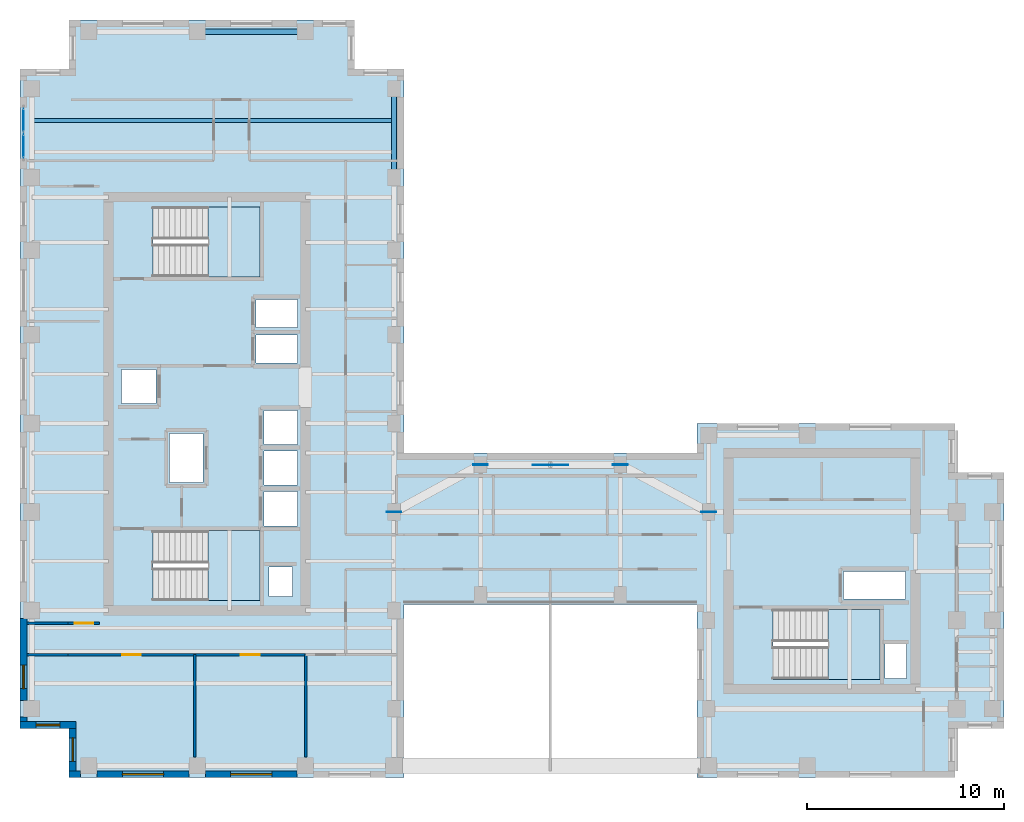
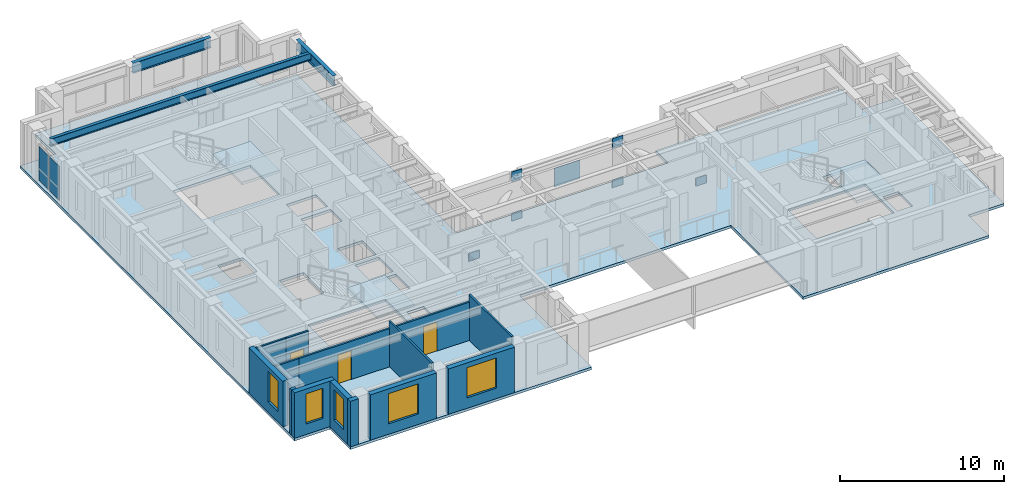
# One storey, part 5 of 12: 14 walls, 9 plates, 5 windows, 4 slabs, 3 beams, 3 doors, 8 openings, 4 elements without a shape of their own.
"""IFC4 building model written with IfcOpenShell, lengths in metres."""

from ifc_helpers import new_model, si_unit, direction, frame, frame_2d, origin, origin_2d, place, context, subcontext, project, spatial, polyline, rectangle, i_section, outline, extrude, source, transform, mapped, material, layer, layer_set, material_profile, profile_set, type_object, element, fill, aggregate, save


model = new_model("IFC4")

# Units and contexts
model_context = context("Model", 3, precision=1e-05, world=origin(), true_north=direction((0.0, 1.0)))
body_context = subcontext(model_context, "Body", "Model", "MODEL_VIEW")
ifc_project = project(units=[si_unit("LENGTHUNIT", "METRE"), si_unit("AREAUNIT", "SQUARE_METRE"), si_unit("VOLUMEUNIT", "CUBIC_METRE"), si_unit("PLANEANGLEUNIT", "RADIAN"), si_unit("MASSUNIT", "GRAM", prefix="KILO")], contexts=[model_context])

# Site, building, storey
site_placement = place(None, origin())
site = spatial("IfcSite", under=ifc_project, at=site_placement, CompositionType="ELEMENT")
building_placement = place(site_placement, origin())
building = spatial("IfcBuilding", under=site, at=building_placement, Name="Kharzan Plaza Tower", CompositionType="ELEMENT")
storey_placement = place(building_placement, frame((0.0, 0.0, 248.39990234375)))
storey = spatial("IfcBuildingStorey", under=building, at=storey_placement, Name="L67", CompositionType="ELEMENT", Elevation=248.39990234375)

# Beams
ifc_material_1 = material(Name="Steel S355", Category="steel")
ifc_material_profile_1 = material_profile(ifc_material_1, i_section(OverallWidth=0.2099609375, OverallDepth=0.537109375, WebThickness=0.010986328125, FlangeThickness=0.017333984375, at=origin_2d()), Name="W530x101")
ifc_profile_set_1 = profile_set([ifc_material_profile_1], Name="Steel S355")
beam_type_1 = type_object("IfcBeamType", Name="BM-JST530B", PredefinedType="JOIST", material=ifc_profile_set_1)
shared_shape_1 = source(origin(), body_context, "Body", "SweptSolid", [
    extrude(i_section(OverallWidth=0.2099609375, OverallDepth=0.537109375, WebThickness=0.010986328125, FlangeThickness=0.017333984375, at=origin_2d()), origin(), (0.0, 0.0, 1.0), 18.39990234375),
])
beam_1_placement = place(storey_placement, frame((0.60009765625, 33.39990234375, 3.131591796875), z_axis=(1.0, 0.0, 0.0), x_axis=(0.0, 1.0, 0.0)))
element("IfcBeam", 1, at=beam_1_placement, inside=storey, type_object=beam_type_1, Name="L67 Wing A Composite Joist 05", PredefinedType="JOIST", context=body_context, shape_type="MappedRepresentation", body=[
    mapped(shared_shape_1, transform((0.0, 0.0, 0.0), x_axis=(1.0, 0.0, 0.0), y_axis=(0.0, 1.0, 0.0), z_axis=(0.0, 0.0, 1.0))),
])
ifc_material_profile_2 = material_profile(ifc_material_1, i_section(OverallWidth=0.26708984375, OverallDepth=0.76611328125, WebThickness=0.014892578125, FlangeThickness=0.023681640625, at=origin_2d()), Name="W760x185")
ifc_profile_set_2 = profile_set([ifc_material_profile_2], Name="Steel S355")
beam_type_2 = type_object("IfcBeamType", Name="BM-SP760B", PredefinedType="SPANDREL", material=ifc_profile_set_2)
shared_shape_2 = source(origin(), body_context, "Body", "SweptSolid", [
    extrude(i_section(OverallWidth=0.26708984375, OverallDepth=0.76611328125, WebThickness=0.014892578125, FlangeThickness=0.023681640625, at=origin_2d()), origin(), (0.0, 0.0, 1.0), 4.5),
])
beam_2_placement = place(storey_placement, frame((19.0, 30.5, 3.01708984375), z_axis=(0.0, 1.0, 0.0), x_axis=(-1.0, 0.0, 0.0)))
element("IfcBeam", 2, at=beam_2_placement, inside=storey, type_object=beam_type_2, Name="L67 Perimeter Tube Spandrel", PredefinedType="SPANDREL", context=body_context, shape_type="MappedRepresentation", body=[
    mapped(shared_shape_2, transform((0.0, 0.0, 0.0), x_axis=(1.0, 0.0, 0.0), y_axis=(0.0, 1.0, 0.0), z_axis=(0.0, 0.0, 1.0))),
])
shared_shape_3 = source(origin(), body_context, "Body", "SweptSolid", [
    extrude(i_section(OverallWidth=0.26708984375, OverallDepth=0.76611328125, WebThickness=0.014892578125, FlangeThickness=0.023681640625, at=origin_2d()), origin(), (0.0, 0.0, 1.0), 5.5),
])
beam_3_placement = place(storey_placement, frame((9.0, 37.89990234375, 3.01708984375), z_axis=(1.0, 0.0, 0.0), x_axis=(0.0, 1.0, 0.0)))
element("IfcBeam", 3, at=beam_3_placement, inside=storey, type_object=beam_type_2, Name="L67 Perimeter Tube Spandrel", PredefinedType="SPANDREL", context=body_context, shape_type="MappedRepresentation", body=[
    mapped(shared_shape_3, transform((0.0, 0.0, 0.0), x_axis=(1.0, 0.0, 0.0), y_axis=(0.0, 1.0, 0.0), z_axis=(0.0, 0.0, 1.0))),
])

# Slab
ifc_material_2 = material(Name="Concrete C40/50", Category="concrete")
ifc_layer_1 = layer(ifc_material_2, 0.199951171875)
ifc_layer_set_1 = layer_set([ifc_layer_1], Name="Concrete C40/50")
slab_type_1 = type_object("IfcSlabType", Name="SL-FLOOR-200", PredefinedType="FLOOR", material=ifc_layer_set_1)
slab_1_placement = place(storey_placement, frame((0.0, 0.0, -0.199951171875)))
element("IfcSlab", 4, at=slab_1_placement, inside=storey, type_object=slab_type_1, Name="L67 Composite Structural Floor Slab 200 mm", PredefinedType="FLOOR", context=body_context, shape_type="SweptSolid", body=[
    extrude(outline(polyline([(34.39990234375, 16.5), (19.5, 16.5), (19.5, 36.0), (17.0, 36.0), (17.0, 38.5), (2.5, 38.5), (2.5, 36.0), (0.0, 36.0), (0.0, 2.5), (2.5, 2.5), (2.5, 0.0), (19.5, 0.0), (19.5, 8.800048828125), (34.39990234375, 8.800048828125), (34.39990234375, 0.0), (47.5, 0.0), (47.5, 2.5), (50.0, 2.5), (50.0, 15.5), (47.5, 15.5), (47.5, 18.0), (34.39990234375, 18.0), (34.39990234375, 16.5)]), holes=[polyline([(12.199951171875, 12.550048828125), (6.75, 12.550048828125), (6.75, 9.0), (12.199951171875, 9.0), (12.199951171875, 12.550048828125)]), polyline([(14.10009765625, 12.800048828125), (14.10009765625, 14.530029296875), (12.39990234375, 14.530029296875), (12.39990234375, 12.800048828125), (14.10009765625, 12.800048828125)]), polyline([(9.300048828125, 15.0), (9.300048828125, 17.5), (7.60009765625, 17.5), (7.60009765625, 15.0), (9.300048828125, 15.0)]), polyline([(6.89990234375, 20.72998046875), (5.14990234375, 20.72998046875), (5.14990234375, 19.010009765625), (6.89990234375, 19.010009765625), (6.89990234375, 20.72998046875)]), polyline([(14.10009765625, 21.070068359375), (14.10009765625, 22.489990234375), (12.0, 22.489990234375), (12.0, 21.070068359375), (14.10009765625, 21.070068359375)]), polyline([(14.10009765625, 22.8701171875), (14.10009765625, 24.2900390625), (12.0, 24.2900390625), (12.0, 22.8701171875), (14.10009765625, 22.8701171875)]), polyline([(12.199951171875, 29.0), (6.75, 29.0), (6.75, 25.449951171875), (12.199951171875, 25.449951171875), (12.199951171875, 29.0)]), polyline([(45.050048828125, 5.050048828125), (45.050048828125, 6.800048828125), (43.949951171875, 6.800048828125), (43.949951171875, 5.050048828125), (45.050048828125, 5.050048828125)]), polyline([(43.699951171875, 5.0), (43.699951171875, 8.550048828125), (38.25, 8.550048828125), (38.25, 5.0), (43.699951171875, 5.0)]), polyline([(45.0, 9.070068359375), (45.0, 10.469970703125), (41.85009765625, 10.469970703125), (41.85009765625, 9.070068359375), (45.0, 9.070068359375)]), polyline([(13.85009765625, 9.199951171875), (13.85009765625, 10.699951171875), (12.64990234375, 10.699951171875), (12.64990234375, 9.199951171875), (13.85009765625, 9.199951171875)]), polyline([(14.10009765625, 14.8701171875), (14.10009765625, 16.60009765625), (12.39990234375, 16.60009765625), (12.39990234375, 14.8701171875), (14.10009765625, 14.8701171875)]), polyline([(14.10009765625, 16.93994140625), (14.10009765625, 18.64990234375), (12.39990234375, 18.64990234375), (12.39990234375, 16.93994140625), (14.10009765625, 16.93994140625)])]), origin(), (0.0, 0.0, 1.0), 0.199951171875),
])

# Stair, slab
stair_type_1 = type_object("IfcStairType", Name="STR-ST-1", PredefinedType="HALF_TURN_STAIR", material=ifc_material_2)
stair_1_placement = place(storey_placement, origin())
stair_1 = element("IfcStair", 5, at=stair_1_placement, inside=storey, type_object=stair_type_1, Name="L67 Protected Exit Stair ST-1", PredefinedType="HALF_TURN_STAIR")
ifc_layer_2 = layer(ifc_material_2, 0.219970703125)
ifc_layer_set_2 = layer_set([ifc_layer_2], Name="Concrete C40/50")
slab_type_2 = type_object("IfcSlabType", Name="SL-LANDING-220", PredefinedType="LANDING", material=ifc_layer_set_2)
slab_2_placement = place(storey_placement, frame((0.0, 0.0, 1.60009765625)))
slab_2 = element("IfcSlab", 6, at=slab_2_placement, type_object=slab_type_2, Name="ST-1 landing 1", PredefinedType="LANDING", context=body_context, shape_type="SweptSolid", body=[
    extrude(outline(polyline([(9.550048828125, 9.0), (12.199951171875, 9.0), (12.199951171875, 12.550048828125), (9.550048828125, 12.550048828125), (9.550048828125, 9.0)])), origin(), (0.0, 0.0, 1.0), 0.199951171875),
])
aggregate(stair_1, [slab_2])

stair_type_2 = type_object("IfcStairType", Name="STR-ST-2", PredefinedType="HALF_TURN_STAIR", material=ifc_material_2)
stair_2_placement = place(storey_placement, origin())
stair_2 = element("IfcStair", 7, at=stair_2_placement, inside=storey, type_object=stair_type_2, Name="L67 Protected Exit Stair ST-2", PredefinedType="HALF_TURN_STAIR")
slab_3_placement = place(storey_placement, frame((0.0, 0.0, 1.60009765625)))
slab_3 = element("IfcSlab", 8, at=slab_3_placement, type_object=slab_type_2, Name="ST-2 landing 1", PredefinedType="LANDING", context=body_context, shape_type="SweptSolid", body=[
    extrude(outline(polyline([(9.550048828125, 25.449951171875), (12.199951171875, 25.449951171875), (12.199951171875, 29.0), (9.550048828125, 29.0), (9.550048828125, 25.449951171875)])), origin(), (0.0, 0.0, 1.0), 0.199951171875),
])
aggregate(stair_2, [slab_3])

stair_type_3 = type_object("IfcStairType", Name="STR-ST-3", PredefinedType="HALF_TURN_STAIR", material=ifc_material_2)
stair_3_placement = place(storey_placement, origin())
stair_3 = element("IfcStair", 9, at=stair_3_placement, inside=storey, type_object=stair_type_3, Name="L67 Protected Exit Stair ST-3", PredefinedType="HALF_TURN_STAIR")
slab_4_placement = place(storey_placement, frame((0.0, 0.0, 1.60009765625)))
slab_4 = element("IfcSlab", 10, at=slab_4_placement, type_object=slab_type_2, Name="ST-3 landing 1", PredefinedType="LANDING", context=body_context, shape_type="SweptSolid", body=[
    extrude(outline(polyline([(41.050048828125, 5.0), (43.699951171875, 5.0), (43.699951171875, 8.550048828125), (41.050048828125, 8.550048828125), (41.050048828125, 5.0)])), origin(), (0.0, 0.0, 1.0), 0.199951171875),
])
aggregate(stair_3, [slab_4])

# Plates
ifc_material_3 = material(Name="Steel S460", Category="steel")
ifc_layer_3 = layer(ifc_material_3, 0.0380859375)
ifc_layer_set_3 = layer_set([ifc_layer_3], Name="Steel S460")
plate_type_1 = type_object("IfcPlateType", Name="PLT-WPN1", PredefinedType="USERDEFINED", material=ifc_layer_set_3)
shared_shape_4 = source(origin(), body_context, "Body", "SweptSolid", [
    extrude(rectangle(XDim=0.75, YDim=0.0380859375, at=origin_2d()), origin(), (0.0, 0.0, 1.0), 0.75),
])
for number, where, z_axis, x_axis, name in (
    (11, (30.5, 15.89990234375, -0.1748046875), (0.0, 0.0, 1.0), (1.0, 0.0, 0.0), "L67 Wind Turbine Strut Foot Gusset Plate WPN-TSE"),
    (12, (23.39990234375, 15.89990234375, -0.1748046875), (0.0, 0.0, 1.0), (1.0, 0.0, 0.0), "L67 Wind Turbine Strut Foot Gusset Plate WPN-TSW"),
    (13, (23.39990234375, 15.89990234375, 2.905029296875), (0.0, 0.0, 1.0), (1.0, 0.0, 0.0), "L67 Wind Portal Node Gusset Plate WPN1"),
    (14, (35.0, 13.5, -0.1748046875), (0.0, 0.0, 1.0), (1.0, 0.0, 0.0), "L67 Wind Portal Node Gusset Plate WPN1-EB"),
    (15, (30.5, 15.89990234375, 2.905029296875), (0.0, 0.0, 1.0), (1.0, 0.0, 0.0), "L67 Wind Portal Node Gusset Plate WPN1-ET"),
    (16, (19.0, 13.5, -0.1748046875), (0.0, 0.0, 1.0), (1.0, 0.0, 0.0), "L67 Wind Portal Node Gusset Plate WPN1-WB"),
):
    element("IfcPlate", number, at=place(storey_placement, frame(where, z_axis=z_axis, x_axis=x_axis)), inside=storey, type_object=plate_type_1, Name=name, ObjectType="GUSSET_PLATE", PredefinedType="USERDEFINED", context=body_context, shape_type="MappedRepresentation", body=[
        mapped(shared_shape_4, transform((0.0, 0.0, 0.0), x_axis=(1.0, 0.0, 0.0), y_axis=(0.0, 1.0, 0.0), z_axis=(0.0, 0.0, 1.0))),
    ])
ifc_layer_4 = layer(ifc_material_3, 0.02490234375)
ifc_layer_set_4 = layer_set([ifc_layer_4], Name="Steel S460")
plate_type_2 = type_object("IfcPlateType", Name="PLT-SHRD", PredefinedType="USERDEFINED", material=ifc_layer_set_4)
shared_shape_5 = source(origin(), body_context, "Body", "SweptSolid", [
    extrude(rectangle(XDim=1.800048828125, YDim=0.02490234375, at=origin_2d()), origin(), (0.0, 0.0, 1.0), 1.39990234375),
])
plate_1_placement = place(storey_placement, frame((26.949951171875, 15.89990234375, 1.480224609375), z_axis=(0.0, 0.0, 1.0), x_axis=(1.0, 0.0, 0.0)))
element("IfcPlate", 17, at=plate_1_placement, inside=storey, type_object=plate_type_2, Name="L67 Wind Turbine Slot Shroud Plate TSN1", ObjectType="SHROUD_PLATE", PredefinedType="USERDEFINED", context=body_context, shape_type="MappedRepresentation", body=[
    mapped(shared_shape_5, transform((0.0, 0.0, 0.0), x_axis=(1.0, 0.0, 0.0), y_axis=(0.0, 1.0, 0.0), z_axis=(0.0, 0.0, 1.0))),
])

# Curtain wall, plates
ifc_material_4 = material(Name="Unitised Bronze-Anodized Aluminium and Low-E Glass", Category="aluminium")
ifc_layer_5 = layer(ifc_material_4, 0.199951171875)
ifc_layer_set_5 = layer_set([ifc_layer_5], Name="Unitised Bronze-Anodized Aluminium and Low-E Glass")
curtain_wall_type = type_object("IfcCurtainWallType", Name="CW-EXEC-5", PredefinedType="NOTDEFINED", material=ifc_layer_set_5)
curtain_wall_placement = place(storey_placement, origin())
curtain_wall = element("IfcCurtainWall", 18, at=curtain_wall_placement, inside=storey, type_object=curtain_wall_type, Name="L67 Upper Executive Setback Panoramic Curtain Wall", PredefinedType="NOTDEFINED")
ifc_material_5 = material(Name="Dark Solar-Control Double Glazing", Category="glass")
ifc_layer_6 = layer(ifc_material_5, 0.031982421875)
ifc_layer_set_6 = layer_set([ifc_layer_6], Name="Dark Solar-Control Double Glazing")
plate_type_3 = type_object("IfcPlateType", Name="PLT-CW-GLASS", PredefinedType="CURTAIN_PANEL", material=ifc_layer_set_6)
shared_shape_6 = source(origin(), body_context, "Body", "SweptSolid", [
    extrude(rectangle(XDim=1.179931640625, YDim=0.031982421875, at=origin_2d()), origin(), (0.0, 0.0, 1.0), 2.5400390625),
])
plate_2_placement = place(storey_placement, frame((0.179931640625, 32.10009765625, 0.080078125), z_axis=(0.0, 0.0, 1.0), x_axis=(0.0, 1.0, 0.0)))
plate_2 = element("IfcPlate", 19, at=plate_2_placement, type_object=plate_type_3, Name="L67 Curtain-Wall Glazed Panel 00", PredefinedType="CURTAIN_PANEL", context=body_context, shape_type="MappedRepresentation", body=[
    mapped(shared_shape_6, transform((0.0, 0.0, 0.0), x_axis=(1.0, 0.0, 0.0), y_axis=(0.0, 1.0, 0.0), z_axis=(0.0, 0.0, 1.0))),
])
plate_3_placement = place(storey_placement, frame((0.179931640625, 33.39990234375, 0.080078125), z_axis=(0.0, 0.0, 1.0), x_axis=(0.0, 1.0, 0.0)))
plate_3 = element("IfcPlate", 20, at=plate_3_placement, type_object=plate_type_3, Name="L67 Curtain-Wall Glazed Panel 01", PredefinedType="CURTAIN_PANEL", context=body_context, shape_type="MappedRepresentation", body=[
    mapped(shared_shape_6, transform((0.0, 0.0, 0.0), x_axis=(1.0, 0.0, 0.0), y_axis=(0.0, 1.0, 0.0), z_axis=(0.0, 0.0, 1.0))),
])
aggregate(curtain_wall, [plate_2, plate_3])

# Wall, opening, window
ifc_layer_7 = layer(ifc_material_2, 0.35009765625)
ifc_layer_set_7 = layer_set([ifc_layer_7], Name="Concrete C40/50")
wall_type_1 = type_object("IfcWallType", Name="WL-EXT-MAS-Z4", PredefinedType="SOLIDWALL", material=ifc_layer_set_7)
wall_1_placement = place(storey_placement, frame((0.175048828125, 8.076904296875, 0.0), z_axis=(0.0, 0.0, 1.0), x_axis=(0.0, -1.0, 0.0)))
wall_1 = element("IfcWall", 21, at=wall_1_placement, inside=storey, type_object=wall_type_1, Name="L67 Masonry-Frame Exterior Wall 23", PredefinedType="SOLIDWALL", context=body_context, shape_type="SweptSolid", body=[
    extrude(rectangle(XDim=4.15380859375, YDim=0.35009765625, at=frame_2d((2.076904296875, 0.0))), origin(), (0.0, 0.0, 1.0), 3.385009765625),
])
opening_1_placement = place(wall_1_placement, frame((2.35546875, 0.0, 0.780029296875)))
opening_1 = element("IfcOpeningElement", 22, at=opening_1_placement, cuts=wall_1, Name="Opening W3", PredefinedType="OPENING", context=body_context, shape_type="SweptSolid", body=[
    extrude(rectangle(XDim=1.199951171875, YDim=2.25, at=frame_2d((0.60009765625, 1.125))), frame((0.0, 0.18505859375, 0.0), z_axis=(0.0, -1.0, 0.0), x_axis=(1.0, 0.0, 0.0)), (0.0, 0.0, 1.0), 0.3701171875),
])
ifc_material_6 = material(Name="Low-E Double Glazing", Category="glass")
window_type_1 = type_object("IfcWindowType", Name="WN-REC-1200x2100", PartitioningType="SINGLE_PANEL", PredefinedType="WINDOW", material=ifc_material_6)
shared_shape_7 = source(origin(), body_context, "Body", "SweptSolid", [
    extrude(rectangle(XDim=1.199951171875, YDim=2.25, at=frame_2d((0.60009765625, 1.125))), frame((0.0, 0.030029296875, 0.0), z_axis=(0.0, -1.0, 0.0), x_axis=(1.0, 0.0, 0.0)), (0.0, 0.0, 1.0), 0.06005859375),
])
window_1_placement = place(opening_1_placement, origin())
window_1 = element("IfcWindow", 23, at=window_1_placement, inside=storey, type_object=window_type_1, Name="L67 Recessed Solar-Control Window 23-1", OverallHeight=2.25, OverallWidth=1.199951171875, PartitioningType="SINGLE_PANEL", PredefinedType="WINDOW", context=body_context, shape_type="MappedRepresentation", body=[
    mapped(shared_shape_7, transform((0.0, 0.0, 0.0), x_axis=(1.0, 0.0, 0.0), y_axis=(0.0, 1.0, 0.0), z_axis=(0.0, 0.0, 1.0))),
])
fill(opening_1, window_1)

wall_2_placement = place(storey_placement, frame((0.0, 2.675048828125, 0.0), z_axis=(0.0, 0.0, 1.0), x_axis=(1.0, 0.0, 0.0)))
wall_2 = element("IfcWall", 24, at=wall_2_placement, inside=storey, type_object=wall_type_1, Name="L67 Masonry-Frame Exterior Wall 25", PredefinedType="SOLIDWALL", context=body_context, shape_type="SweptSolid", body=[
    extrude(rectangle(XDim=2.85009765625, YDim=0.35009765625, at=frame_2d((1.425048828125, 0.0))), origin(), (0.0, 0.0, 1.0), 3.385009765625),
])
opening_2_placement = place(wall_2_placement, frame((0.824951171875, 0.0, 0.780029296875)))
opening_2 = element("IfcOpeningElement", 25, at=opening_2_placement, cuts=wall_2, Name="Opening W3", PredefinedType="OPENING", context=body_context, shape_type="SweptSolid", body=[
    extrude(rectangle(XDim=1.199951171875, YDim=2.25, at=frame_2d((0.60009765625, 1.125))), frame((0.0, 0.18505859375, 0.0), z_axis=(0.0, -1.0, 0.0), x_axis=(1.0, 0.0, 0.0)), (0.0, 0.0, 1.0), 0.3701171875),
])
window_2_placement = place(opening_2_placement, origin())
window_2 = element("IfcWindow", 26, at=window_2_placement, inside=storey, type_object=window_type_1, Name="L67 Recessed Solar-Control Window 25-1", OverallHeight=2.25, OverallWidth=1.199951171875, PartitioningType="SINGLE_PANEL", PredefinedType="WINDOW", context=body_context, shape_type="MappedRepresentation", body=[
    mapped(shared_shape_7, transform((0.0, 0.0, 0.0), x_axis=(1.0, 0.0, 0.0), y_axis=(0.0, 1.0, 0.0), z_axis=(0.0, 0.0, 1.0))),
])
fill(opening_2, window_2)

wall_3_placement = place(storey_placement, frame((2.675048828125, 2.501953125, 0.0), z_axis=(0.0, 0.0, 1.0), x_axis=(0.0, -1.0, 0.0)))
wall_3 = element("IfcWall", 27, at=wall_3_placement, inside=storey, type_object=wall_type_1, Name="L67 Masonry-Frame Exterior Wall 26", PredefinedType="SOLIDWALL", context=body_context, shape_type="SweptSolid", body=[
    extrude(rectangle(XDim=2.154052734375, YDim=0.35009765625, at=frame_2d((1.0771484375, 0.0))), origin(), (0.0, 0.0, 1.0), 3.385009765625),
])
opening_3_placement = place(wall_3_placement, frame((0.47705078125, 0.0, 0.780029296875)))
opening_3 = element("IfcOpeningElement", 28, at=opening_3_placement, cuts=wall_3, Name="Opening W3", PredefinedType="OPENING", context=body_context, shape_type="SweptSolid", body=[
    extrude(rectangle(XDim=1.199951171875, YDim=2.25, at=frame_2d((0.60009765625, 1.125))), frame((0.0, 0.18505859375, 0.0), z_axis=(0.0, -1.0, 0.0), x_axis=(1.0, 0.0, 0.0)), (0.0, 0.0, 1.0), 0.3701171875),
])
window_3_placement = place(opening_3_placement, origin())
window_3 = element("IfcWindow", 29, at=window_3_placement, inside=storey, type_object=window_type_1, Name="L67 Recessed Solar-Control Window 26-1", OverallHeight=2.25, OverallWidth=1.199951171875, PartitioningType="SINGLE_PANEL", PredefinedType="WINDOW", context=body_context, shape_type="MappedRepresentation", body=[
    mapped(shared_shape_7, transform((0.0, 0.0, 0.0), x_axis=(1.0, 0.0, 0.0), y_axis=(0.0, 1.0, 0.0), z_axis=(0.0, 0.0, 1.0))),
])
fill(opening_3, window_3)

wall_4_placement = place(storey_placement, frame((3.923095703125, 0.175048828125, 0.0), z_axis=(0.0, 0.0, 1.0), x_axis=(1.0, 0.0, 0.0)))
wall_4 = element("IfcWall", 30, at=wall_4_placement, inside=storey, type_object=wall_type_1, Name="L67 Masonry-Frame Exterior Wall 28", PredefinedType="SOLIDWALL", context=body_context, shape_type="SweptSolid", body=[
    extrude(rectangle(XDim=4.65380859375, YDim=0.35009765625, at=frame_2d((2.326904296875, 0.0))), origin(), (0.0, 0.0, 1.0), 3.385009765625),
])
opening_4_placement = place(wall_4_placement, frame((1.277099609375, 0.0, 0.780029296875)))
opening_4 = element("IfcOpeningElement", 31, at=opening_4_placement, cuts=wall_4, Name="Opening W6", PredefinedType="OPENING", context=body_context, shape_type="SweptSolid", body=[
    extrude(rectangle(XDim=2.10009765625, YDim=2.25, at=frame_2d((1.050048828125, 1.125))), frame((0.0, 0.18505859375, 0.0), z_axis=(0.0, -1.0, 0.0), x_axis=(1.0, 0.0, 0.0)), (0.0, 0.0, 1.0), 0.3701171875),
])
window_type_2 = type_object("IfcWindowType", Name="WN-EXEC-2100x2250", PartitioningType="SINGLE_PANEL", PredefinedType="WINDOW", material=ifc_material_6)
shared_shape_8 = source(origin(), body_context, "Body", "SweptSolid", [
    extrude(rectangle(XDim=2.10009765625, YDim=2.25, at=frame_2d((1.050048828125, 1.125))), frame((0.0, 0.030029296875, 0.0), z_axis=(0.0, -1.0, 0.0), x_axis=(1.0, 0.0, 0.0)), (0.0, 0.0, 1.0), 0.06005859375),
])
window_4_placement = place(opening_4_placement, origin())
window_4 = element("IfcWindow", 32, at=window_4_placement, inside=storey, type_object=window_type_2, Name="L67 Recessed Solar-Control Window 28-1", OverallHeight=2.25, OverallWidth=2.10009765625, PartitioningType="SINGLE_PANEL", PredefinedType="WINDOW", context=body_context, shape_type="MappedRepresentation", body=[
    mapped(shared_shape_8, transform((0.0, 0.0, 0.0), x_axis=(1.0, 0.0, 0.0), y_axis=(0.0, 1.0, 0.0), z_axis=(0.0, 0.0, 1.0))),
])
fill(opening_4, window_4)

wall_5_placement = place(storey_placement, frame((9.423095703125, 0.175048828125, 0.0), z_axis=(0.0, 0.0, 1.0), x_axis=(1.0, 0.0, 0.0)))
wall_5 = element("IfcWall", 33, at=wall_5_placement, inside=storey, type_object=wall_type_1, Name="L67 Masonry-Frame Exterior Wall 29", PredefinedType="SOLIDWALL", context=body_context, shape_type="SweptSolid", body=[
    extrude(rectangle(XDim=4.65380859375, YDim=0.35009765625, at=frame_2d((2.326904296875, 0.0))), origin(), (0.0, 0.0, 1.0), 3.385009765625),
])
opening_5_placement = place(wall_5_placement, frame((1.277099609375, 0.0, 0.780029296875)))
opening_5 = element("IfcOpeningElement", 34, at=opening_5_placement, cuts=wall_5, Name="Opening W6", PredefinedType="OPENING", context=body_context, shape_type="SweptSolid", body=[
    extrude(rectangle(XDim=2.10009765625, YDim=2.25, at=frame_2d((1.050048828125, 1.125))), frame((0.0, 0.18505859375, 0.0), z_axis=(0.0, -1.0, 0.0), x_axis=(1.0, 0.0, 0.0)), (0.0, 0.0, 1.0), 0.3701171875),
])
window_5_placement = place(opening_5_placement, origin())
window_5 = element("IfcWindow", 35, at=window_5_placement, inside=storey, type_object=window_type_2, Name="L67 Recessed Solar-Control Window 29-1", OverallHeight=2.25, OverallWidth=2.10009765625, PartitioningType="SINGLE_PANEL", PredefinedType="WINDOW", context=body_context, shape_type="MappedRepresentation", body=[
    mapped(shared_shape_8, transform((0.0, 0.0, 0.0), x_axis=(1.0, 0.0, 0.0), y_axis=(0.0, 1.0, 0.0), z_axis=(0.0, 0.0, 1.0))),
])
fill(opening_5, window_5)

# Wall, opening, door
ifc_material_7 = material(Name="Fire-Rated Gypsum Board Partition", Category="gypsum")
ifc_layer_8 = layer(ifc_material_7, 0.125)
ifc_layer_set_8 = layer_set([ifc_layer_8], Name="Fire-Rated Gypsum Board Partition")
wall_type_2 = type_object("IfcWallType", Name="WL-INT-PART-125", PredefinedType="PARTITIONING", material=ifc_layer_set_8)
wall_6_placement = place(storey_placement, frame((2.449951171875, 7.85009765625, 0.0), z_axis=(0.0, 0.0, 1.0), x_axis=(1.0, 0.0, 0.0)))
wall_6 = element("IfcWall", 36, at=wall_6_placement, inside=storey, type_object=wall_type_2, Name="L67 Interior Partition SH-RWSD", PredefinedType="PARTITIONING", context=body_context, shape_type="SweptSolid", body=[
    extrude(rectangle(XDim=1.60009765625, YDim=0.125, at=frame_2d((0.800048828125, 0.0))), origin(), (0.0, 0.0, 1.0), 3.385009765625),
])
opening_6_placement = place(wall_6_placement, frame((0.324951171875, 0.0, 0.0)))
opening_6 = element("IfcOpeningElement", 37, at=opening_6_placement, cuts=wall_6, Name="Opening OD1", PredefinedType="OPENING", context=body_context, shape_type="SweptSolid", body=[
    extrude(rectangle(XDim=0.949951171875, YDim=2.14990234375, at=frame_2d((0.47509765625, 1.074951171875))), frame((0.0, 0.072509765625, 0.0), z_axis=(0.0, -1.0, 0.0), x_axis=(1.0, 0.0, 0.0)), (0.0, 0.0, 1.0), 0.14501953125),
])
ifc_material_8 = material(Name="Acoustic Solid-Core Stained Oak", Category="timber")
door_type = type_object("IfcDoorType", Name="DR-OFF-SINGLE", OperationType="NOTDEFINED", PredefinedType="DOOR", material=ifc_material_8)
shared_shape_9 = source(origin(), body_context, "Body", "SweptSolid", [
    extrude(rectangle(XDim=0.949951171875, YDim=2.14990234375, at=frame_2d((0.47509765625, 1.074951171875))), frame((0.0, 0.02490234375, 0.0), z_axis=(0.0, -1.0, 0.0), x_axis=(1.0, 0.0, 0.0)), (0.0, 0.0, 1.0), 0.050048828125),
])
door_1_placement = place(opening_6_placement, origin())
door_1 = element("IfcDoor", 38, at=door_1_placement, inside=storey, type_object=door_type, Name="L67 West Office 1 Door", OperationType="SINGLE_SWING_RIGHT", OverallHeight=2.14990234375, OverallWidth=0.949951171875, PredefinedType="DOOR", context=body_context, shape_type="MappedRepresentation", body=[
    mapped(shared_shape_9, transform((0.0, 0.0, 0.0), x_axis=(1.0, 0.0, 0.0), y_axis=(0.0, 1.0, 0.0), z_axis=(0.0, 0.0, 1.0))),
])
fill(opening_6, door_1)

wall_7_placement = place(storey_placement, frame((2.449951171875, 6.25, 0.0), z_axis=(0.0, 0.0, 1.0), x_axis=(1.0, 0.0, 0.0)))
wall_7 = element("IfcWall", 39, at=wall_7_placement, inside=storey, type_object=wall_type_2, Name="L67 Interior Partition SH-SS-1", PredefinedType="PARTITIONING", context=body_context, shape_type="SweptSolid", body=[
    extrude(rectangle(XDim=6.43896484375, YDim=0.125, at=frame_2d((3.219482421875, 0.0))), origin(), (0.0, 0.0, 1.0), 2.84814453125),
])
opening_7_placement = place(wall_7_placement, frame((2.744384765625, 0.0, 0.0)))
opening_7 = element("IfcOpeningElement", 40, at=opening_7_placement, cuts=wall_7, Name="Opening OD1", PredefinedType="OPENING", context=body_context, shape_type="SweptSolid", body=[
    extrude(rectangle(XDim=0.949951171875, YDim=2.14990234375, at=frame_2d((0.47509765625, 1.074951171875))), frame((0.0, 0.072509765625, 0.0), z_axis=(0.0, -1.0, 0.0), x_axis=(1.0, 0.0, 0.0)), (0.0, 0.0, 1.0), 0.14501953125),
])
door_2_placement = place(opening_7_placement, origin())
door_2 = element("IfcDoor", 41, at=door_2_placement, inside=storey, type_object=door_type, Name="L67 HSE Management Office Door", OperationType="SINGLE_SWING_RIGHT", OverallHeight=2.14990234375, OverallWidth=0.949951171875, PredefinedType="DOOR", context=body_context, shape_type="MappedRepresentation", body=[
    mapped(shared_shape_9, transform((0.0, 0.0, 0.0), x_axis=(1.0, 0.0, 0.0), y_axis=(0.0, 1.0, 0.0), z_axis=(0.0, 0.0, 1.0))),
])
fill(opening_7, door_2)

wall_8_placement = place(storey_placement, frame((8.888916015625, 6.25, 0.0), z_axis=(0.0, 0.0, 1.0), x_axis=(1.0, 0.0, 0.0)))
wall_8 = element("IfcWall", 42, at=wall_8_placement, inside=storey, type_object=wall_type_2, Name="L67 Interior Partition SH-SS-2", PredefinedType="PARTITIONING", context=body_context, shape_type="SweptSolid", body=[
    extrude(rectangle(XDim=5.627197265625, YDim=0.125, at=frame_2d((2.8134765625, 0.0))), origin(), (0.0, 0.0, 1.0), 2.84814453125),
])
opening_8_placement = place(wall_8_placement, frame((2.33837890625, 0.0, 0.0)))
opening_8 = element("IfcOpeningElement", 43, at=opening_8_placement, cuts=wall_8, Name="Opening OD1", PredefinedType="OPENING", context=body_context, shape_type="SweptSolid", body=[
    extrude(rectangle(XDim=0.949951171875, YDim=2.14990234375, at=frame_2d((0.47509765625, 1.074951171875))), frame((0.0, 0.072509765625, 0.0), z_axis=(0.0, -1.0, 0.0), x_axis=(1.0, 0.0, 0.0)), (0.0, 0.0, 1.0), 0.14501953125),
])
door_3_placement = place(opening_8_placement, origin())
door_3 = element("IfcDoor", 44, at=door_3_placement, inside=storey, type_object=door_type, Name="L67 Safety Briefing Room Door", OperationType="SINGLE_SWING_LEFT", OverallHeight=2.14990234375, OverallWidth=0.949951171875, PredefinedType="DOOR", context=body_context, shape_type="MappedRepresentation", body=[
    mapped(shared_shape_9, transform((0.0, 0.0, 0.0), x_axis=(1.0, 0.0, 0.0), y_axis=(0.0, 1.0, 0.0), z_axis=(0.0, 0.0, 1.0))),
])
fill(opening_8, door_3)

# Walls
shared_shape_10 = source(origin(), body_context, "Body", "SweptSolid", [
    extrude(rectangle(XDim=2.097900390625, YDim=0.125, at=frame_2d((1.048828125, 0.0))), origin(), (0.0, 0.0, 1.0), 3.385009765625),
])
wall_9_placement = place(storey_placement, frame((0.35205078125, 7.85009765625, 0.0), z_axis=(0.0, 0.0, 1.0), x_axis=(1.0, 0.0, 0.0)))
element("IfcWall", 45, at=wall_9_placement, inside=storey, type_object=wall_type_2, Name="L67 Interior Partition SH-RWS0", PredefinedType="PARTITIONING", context=body_context, shape_type="MappedRepresentation", body=[
    mapped(shared_shape_10, transform((0.0, 0.0, 0.0), x_axis=(1.0, 0.0, 0.0), y_axis=(0.0, 1.0, 0.0), z_axis=(0.0, 0.0, 1.0))),
])
shared_shape_11 = source(origin(), body_context, "Body", "SweptSolid", [
    extrude(rectangle(XDim=2.097900390625, YDim=0.125, at=frame_2d((1.048828125, 0.0))), origin(), (0.0, 0.0, 1.0), 2.84814453125),
])
wall_10_placement = place(storey_placement, frame((0.35205078125, 6.25, 0.0), z_axis=(0.0, 0.0, 1.0), x_axis=(1.0, 0.0, 0.0)))
element("IfcWall", 46, at=wall_10_placement, inside=storey, type_object=wall_type_2, Name="L67 Interior Partition SH-SS-EXT", PredefinedType="PARTITIONING", context=body_context, shape_type="MappedRepresentation", body=[
    mapped(shared_shape_11, transform((0.0, 0.0, 0.0), x_axis=(1.0, 0.0, 0.0), y_axis=(0.0, 1.0, 0.0), z_axis=(0.0, 0.0, 1.0))),
])
shared_shape_12 = source(origin(), body_context, "Body", "SweptSolid", [
    extrude(rectangle(XDim=0.576904296875, YDim=0.35009765625, at=frame_2d((0.28857421875, 0.0))), origin(), (0.0, 0.0, 1.0), 3.385009765625),
])
wall_11_placement = place(storey_placement, frame((2.5, 0.175048828125, 0.0), z_axis=(0.0, 0.0, 1.0), x_axis=(1.0, 0.0, 0.0)))
element("IfcWall", 47, at=wall_11_placement, inside=storey, type_object=wall_type_1, Name="L67 Masonry-Frame Exterior Wall 27", PredefinedType="SOLIDWALL", context=body_context, shape_type="MappedRepresentation", body=[
    mapped(shared_shape_12, transform((0.0, 0.0, 0.0), x_axis=(1.0, 0.0, 0.0), y_axis=(0.0, 1.0, 0.0), z_axis=(0.0, 0.0, 1.0))),
])
shared_shape_13 = source(origin(), body_context, "Body", "SweptSolid", [
    extrude(rectangle(XDim=0.22900390625, YDim=0.35009765625, at=frame_2d((0.114501953125, 0.0))), origin(), (0.0, 0.0, 1.0), 3.385009765625),
])
wall_12_placement = place(storey_placement, frame((0.175048828125, 3.076904296875, 0.0), z_axis=(0.0, 0.0, 1.0), x_axis=(0.0, -1.0, 0.0)))
element("IfcWall", 48, at=wall_12_placement, inside=storey, type_object=wall_type_1, Name="L67 Masonry-Frame Exterior Wall 24", PredefinedType="SOLIDWALL", context=body_context, shape_type="MappedRepresentation", body=[
    mapped(shared_shape_13, transform((0.0, 0.0, 0.0), x_axis=(1.0, 0.0, 0.0), y_axis=(0.0, 1.0, 0.0), z_axis=(0.0, 0.0, 1.0))),
])
shared_shape_14 = source(origin(), body_context, "Body", "SweptSolid", [
    extrude(rectangle(XDim=5.199951171875, YDim=0.125, at=frame_2d((2.60009765625, 0.0))), origin(), (0.0, 0.0, 1.0), 3.385009765625),
])
for number, where, z_axis, x_axis, name in (
    (49, (8.888916015625, 1.050048828125, 0.0), (0.0, 0.0, 1.0), (0.0, 1.0, 0.0), "L67 Interior Partition SH-SV-1"),
    (50, (14.51611328125, 1.050048828125, 0.0), (0.0, 0.0, 1.0), (0.0, 1.0, 0.0), "L67 Interior Partition SH-SV-2"),
):
    element("IfcWall", number, at=place(storey_placement, frame(where, z_axis=z_axis, x_axis=x_axis)), inside=storey, type_object=wall_type_2, Name=name, PredefinedType="PARTITIONING", context=body_context, shape_type="MappedRepresentation", body=[
        mapped(shared_shape_14, transform((0.0, 0.0, 0.0), x_axis=(1.0, 0.0, 0.0), y_axis=(0.0, 1.0, 0.0), z_axis=(0.0, 0.0, 1.0))),
    ])

save(model, "model.ifc")
